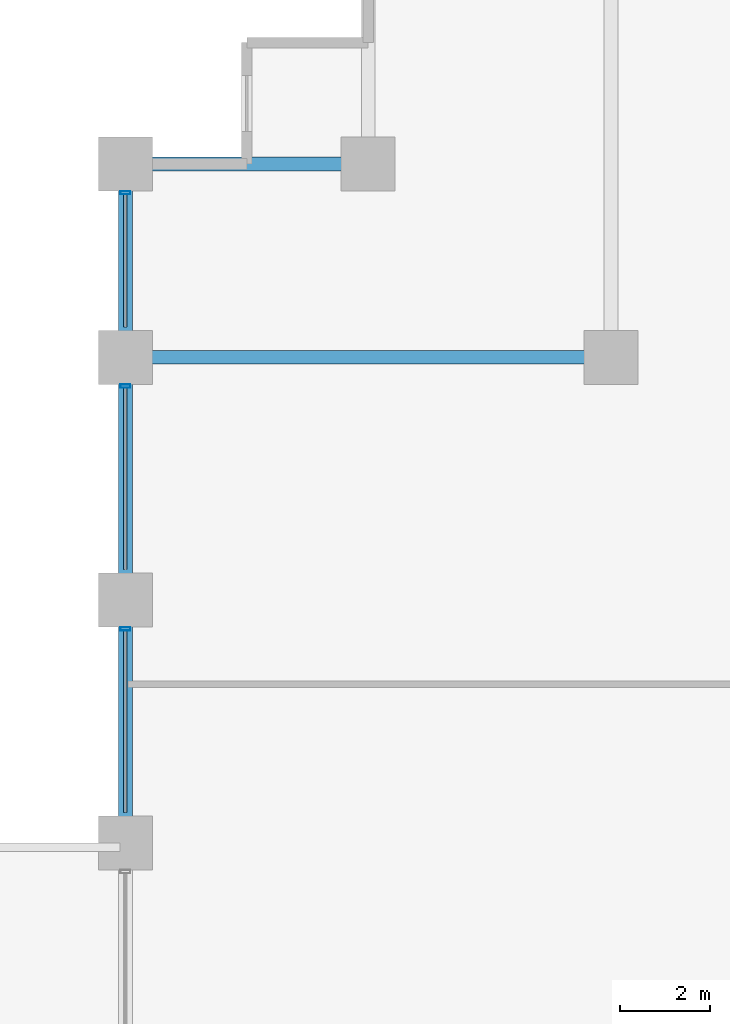
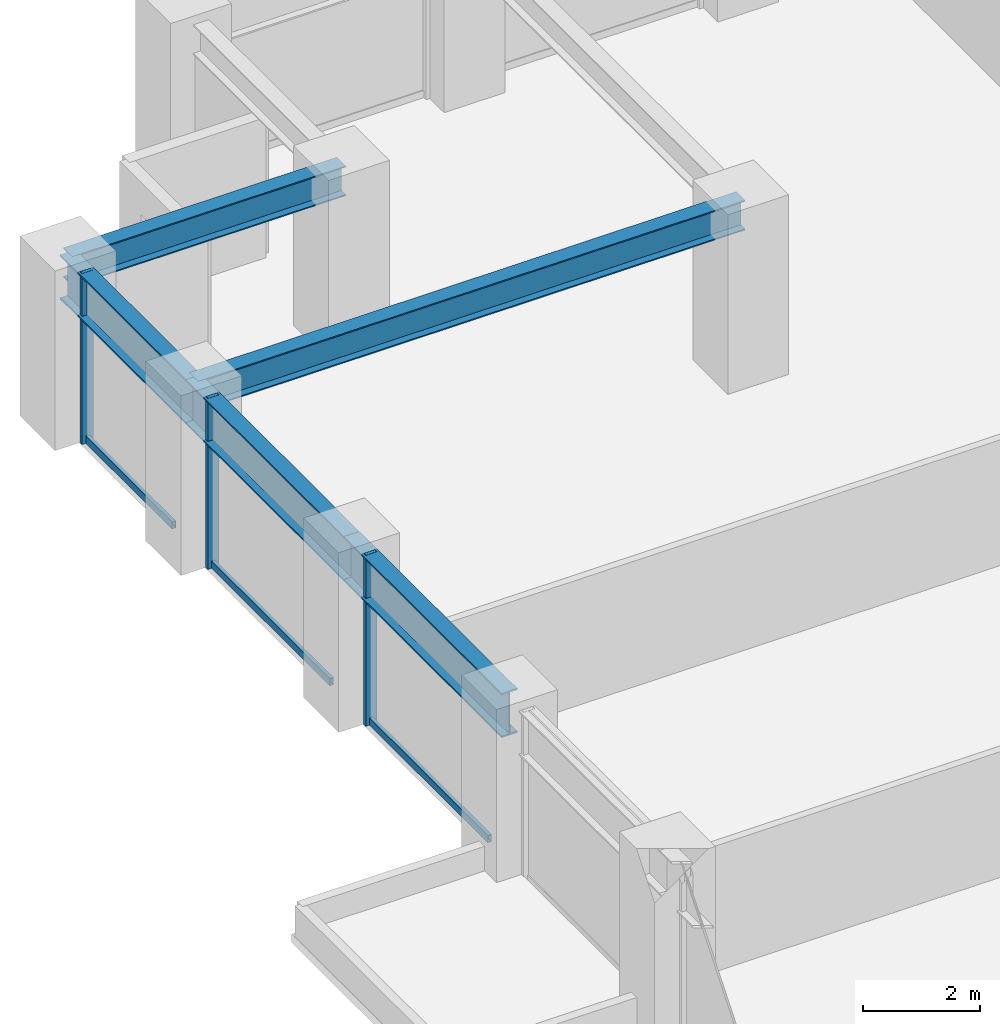
# One storey, part 9 of 26: 6 members, 5 beams, 1 element without a shape of its own.
"""IFC4 building model written with IfcOpenShell, lengths in metres."""

from ifc_helpers import new_model, si_unit, direction, frame, origin, origin_2d, place, context, subcontext, project, spatial, hollow_rectangle, i_section, extrude, material, layer, layer_set, material_profile, profile_set, type_object, element, aggregate, save


model = new_model("IFC4")

# Units and contexts
model_context = context("Model", 3, precision=1e-05, world=origin(), true_north=direction((0.0, 1.0)))
body_context = subcontext(model_context, "Body", "Model", "MODEL_VIEW")
ifc_project = project(units=[si_unit("LENGTHUNIT", "METRE"), si_unit("AREAUNIT", "SQUARE_METRE"), si_unit("VOLUMEUNIT", "CUBIC_METRE"), si_unit("PLANEANGLEUNIT", "RADIAN"), si_unit("MASSUNIT", "GRAM", prefix="KILO")], contexts=[model_context])

# Site, building, storey
site_placement = place(None, origin())
site = spatial("IfcSite", under=ifc_project, at=site_placement, CompositionType="ELEMENT")
building_placement = place(site_placement, origin())
building = spatial("IfcBuilding", under=site, at=building_placement, Name="Surkhivell Harbour Commons", CompositionType="ELEMENT")
storey_placement = place(building_placement, frame((0.0, 0.0, 71.25)))
storey = spatial("IfcBuildingStorey", under=building, at=storey_placement, Name="L18", CompositionType="ELEMENT", Elevation=71.25)

# Beams
ifc_material_1 = material(Name="Steel S355", Category="steel")
ifc_material_profile_1 = material_profile(ifc_material_1, i_section(OverallWidth=0.306884765625, OverallDepth=0.6201171875, WebThickness=0.01416015625, FlangeThickness=0.023681640625, at=origin_2d()), Name="UB610x305x179")
ifc_profile_set_1 = profile_set([ifc_material_profile_1], Name="Steel S355")
beam_type_1 = type_object("IfcBeamType", Name="BM-GRD-610A", PredefinedType="BEAM", material=ifc_profile_set_1)
beam_1_placement = place(storey_placement, frame((-32.39990234375, 16.199951171875, 3.260009765625), z_axis=(1.0, 0.0, 0.0), x_axis=(0.0, 1.0, 0.0)))
element("IfcBeam", 1, at=beam_1_placement, inside=storey, type_object=beam_type_1, Name="L18 Floor Girder (-32.4,16.2)", PredefinedType="BEAM", context=body_context, shape_type="SweptSolid", body=[
    extrude(i_section(OverallWidth=0.306884765625, OverallDepth=0.6201171875, WebThickness=0.01416015625, FlangeThickness=0.023681640625, at=origin_2d()), origin(), (0.0, 0.0, 1.0), 10.7998046875),
])
beam_2_placement = place(storey_placement, frame((-32.39990234375, 20.5, 3.260009765625), z_axis=(1.0, 0.0, 0.0), x_axis=(0.0, 1.0, 0.0)))
element("IfcBeam", 2, at=beam_2_placement, inside=storey, type_object=beam_type_1, Name="L18 Floor Girder (-32.4,20.5)", PredefinedType="BEAM", context=body_context, shape_type="SweptSolid", body=[
    extrude(i_section(OverallWidth=0.306884765625, OverallDepth=0.6201171875, WebThickness=0.01416015625, FlangeThickness=0.023681640625, at=origin_2d()), origin(), (0.0, 0.0, 1.0), 5.39990234375),
])
ifc_material_2 = material(Name="Steel S460", Category="steel")
ifc_material_profile_2 = material_profile(ifc_material_2, i_section(OverallWidth=0.30810546875, OverallDepth=0.927001953125, WebThickness=0.01953125, FlangeThickness=0.031982421875, at=origin_2d()), Name="UB914x305x289")
ifc_profile_set_2 = profile_set([ifc_material_profile_2], Name="Steel S460")
beam_type_2 = type_object("IfcBeamType", Name="BM-SPN-914B", PredefinedType="SPANDREL", material=ifc_profile_set_2)
beam_3_placement = place(storey_placement, frame((-32.39990234375, 5.39990234375, 3.1064453125), z_axis=(0.0, 1.0, 0.0), x_axis=(-1.0, 0.0, 0.0)))
element("IfcBeam", 3, at=beam_3_placement, inside=storey, type_object=beam_type_2, Name="L18 Tube Spandrel (-32.4,5.4)", PredefinedType="SPANDREL", context=body_context, shape_type="SweptSolid", body=[
    extrude(i_section(OverallWidth=0.30810546875, OverallDepth=0.927001953125, WebThickness=0.01953125, FlangeThickness=0.031982421875, at=origin_2d()), origin(), (0.0, 0.0, 1.0), 5.400146484375),
])
beam_4_placement = place(storey_placement, frame((-32.39990234375, 10.800048828125, 3.1064453125), z_axis=(0.0, 1.0, 0.0), x_axis=(-1.0, 0.0, 0.0)))
element("IfcBeam", 4, at=beam_4_placement, inside=storey, type_object=beam_type_2, Name="L18 Tube Spandrel (-32.4,10.8)", PredefinedType="SPANDREL", context=body_context, shape_type="SweptSolid", body=[
    extrude(i_section(OverallWidth=0.30810546875, OverallDepth=0.927001953125, WebThickness=0.01953125, FlangeThickness=0.031982421875, at=origin_2d()), origin(), (0.0, 0.0, 1.0), 5.39990234375),
])
beam_5_placement = place(storey_placement, frame((-32.39990234375, 16.199951171875, 3.1064453125), z_axis=(0.0, 1.0, 0.0), x_axis=(-1.0, 0.0, 0.0)))
element("IfcBeam", 5, at=beam_5_placement, inside=storey, type_object=beam_type_2, Name="L18 Tube Spandrel (-32.4,16.2)", PredefinedType="SPANDREL", context=body_context, shape_type="SweptSolid", body=[
    extrude(i_section(OverallWidth=0.30810546875, OverallDepth=0.927001953125, WebThickness=0.01953125, FlangeThickness=0.031982421875, at=origin_2d()), origin(), (0.0, 0.0, 1.0), 4.300048828125),
])

# Curtain wall, members
ifc_material_3 = material(Name="Anodised pale-metal aluminium and insulated glazing", Category="aluminium")
ifc_layer = layer(ifc_material_3, 0.219970703125)
ifc_layer_set = layer_set([ifc_layer], Name="Anodised pale-metal aluminium and insulated glazing")
curtain_wall_type = type_object("IfcCurtainWallType", Name="CW-SYS-Z1", PredefinedType="NOTDEFINED", material=ifc_layer_set)
curtain_wall_placement = place(storey_placement, origin())
curtain_wall = element("IfcCurtainWall", 6, at=curtain_wall_placement, inside=storey, type_object=curtain_wall_type, Name="L18 Curtain Wall CW-L18-E12S1", PredefinedType="NOTDEFINED")
ifc_material_4 = material(Name="Anodised pale-metal aluminium alloy 6063-T6", Category="aluminium")
ifc_material_profile_3 = material_profile(ifc_material_4, hollow_rectangle(XDim=0.074951171875, YDim=0.219970703125, WallThickness=0.00390625, at=origin_2d()), Name="ALU-MULL-75x220")
ifc_profile_set_3 = profile_set([ifc_material_profile_3], Name="Anodised pale-metal aluminium alloy 6063-T6")
member_type_1 = type_object("IfcMemberType", Name="CWM-220", PredefinedType="MULLION", material=ifc_profile_set_3)
member_1_placement = place(storey_placement, frame((-32.39990234375, 19.860595703125, 0.0), z_axis=(0.0, 0.0, 1.0), x_axis=(0.0, -1.0, 0.0)))
member_1 = element("IfcMember", 7, at=member_1_placement, type_object=member_type_1, Name="CW-Z1 mullion 1", PredefinedType="MULLION", context=body_context, shape_type="SweptSolid", body=[
    extrude(hollow_rectangle(XDim=0.074951171875, YDim=0.219970703125, WallThickness=0.00390625, at=origin_2d()), origin(), (0.0, 0.0, 1.0), 3.570068359375),
])
member_2_placement = place(storey_placement, frame((-32.39990234375, 15.560546875, 0.0), z_axis=(0.0, 0.0, 1.0), x_axis=(0.0, -1.0, 0.0)))
member_2 = element("IfcMember", 8, at=member_2_placement, type_object=member_type_1, Name="CW-Z1 mullion 2", PredefinedType="MULLION", context=body_context, shape_type="SweptSolid", body=[
    extrude(hollow_rectangle(XDim=0.074951171875, YDim=0.219970703125, WallThickness=0.00390625, at=origin_2d()), origin(), (0.0, 0.0, 1.0), 3.570068359375),
])
member_3_placement = place(storey_placement, frame((-32.39990234375, 10.160400390625, 0.0), z_axis=(0.0, 0.0, 1.0), x_axis=(0.0, -1.0, 0.0)))
member_3 = element("IfcMember", 9, at=member_3_placement, type_object=member_type_1, Name="CW-Z1 mullion 3", PredefinedType="MULLION", context=body_context, shape_type="SweptSolid", body=[
    extrude(hollow_rectangle(XDim=0.074951171875, YDim=0.219970703125, WallThickness=0.00390625, at=origin_2d()), origin(), (0.0, 0.0, 1.0), 3.570068359375),
])
ifc_material_profile_4 = material_profile(ifc_material_4, hollow_rectangle(XDim=0.074951171875, YDim=0.14990234375, WallThickness=0.00341796875, at=origin_2d()), Name="ALU-TRAN-75x150")
ifc_profile_set_4 = profile_set([ifc_material_profile_4], Name="Anodised pale-metal aluminium alloy 6063-T6")
member_type_2 = type_object("IfcMemberType", Name="CWT-150", PredefinedType="USERDEFINED", material=ifc_profile_set_4)
member_4_placement = place(storey_placement, frame((-32.39990234375, 19.822998046875, 0.074951171875), z_axis=(0.0, -1.0, 0.0), x_axis=(1.0, 0.0, 0.0)))
member_4 = element("IfcMember", 10, at=member_4_placement, type_object=member_type_2, Name="CW-Z1 transom 1.1", ObjectType="TRANSOM", PredefinedType="USERDEFINED", context=body_context, shape_type="SweptSolid", body=[
    extrude(hollow_rectangle(XDim=0.074951171875, YDim=0.14990234375, WallThickness=0.00341796875, at=origin_2d()), origin(), (0.0, 0.0, 1.0), 2.946044921875),
])
member_5_placement = place(storey_placement, frame((-32.39990234375, 15.52294921875, 0.074951171875), z_axis=(0.0, -1.0, 0.0), x_axis=(1.0, 0.0, 0.0)))
member_5 = element("IfcMember", 11, at=member_5_placement, type_object=member_type_2, Name="CW-Z1 transom 2.1", ObjectType="TRANSOM", PredefinedType="USERDEFINED", context=body_context, shape_type="SweptSolid", body=[
    extrude(hollow_rectangle(XDim=0.074951171875, YDim=0.14990234375, WallThickness=0.00341796875, at=origin_2d()), origin(), (0.0, 0.0, 1.0), 4.0458984375),
])
member_6_placement = place(storey_placement, frame((-32.39990234375, 10.123046875, 0.074951171875), z_axis=(0.0, -1.0, 0.0), x_axis=(1.0, 0.0, 0.0)))
member_6 = element("IfcMember", 12, at=member_6_placement, type_object=member_type_2, Name="CW-Z1 transom 3.1", ObjectType="TRANSOM", PredefinedType="USERDEFINED", context=body_context, shape_type="SweptSolid", body=[
    extrude(hollow_rectangle(XDim=0.074951171875, YDim=0.14990234375, WallThickness=0.00341796875, at=origin_2d()), origin(), (0.0, 0.0, 1.0), 4.046142578125),
])
aggregate(curtain_wall, [member_1, member_4, member_2, member_5, member_3, member_6])

save(model, "model.ifc")
